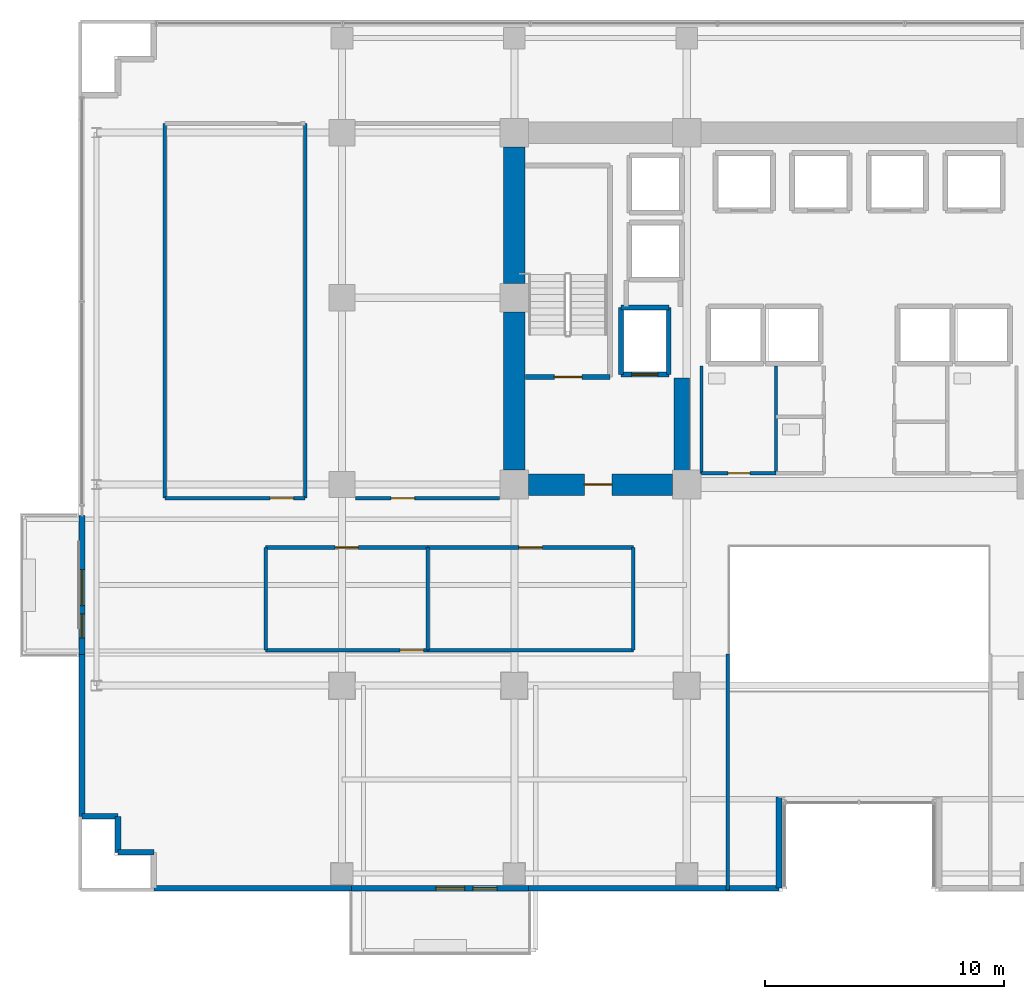
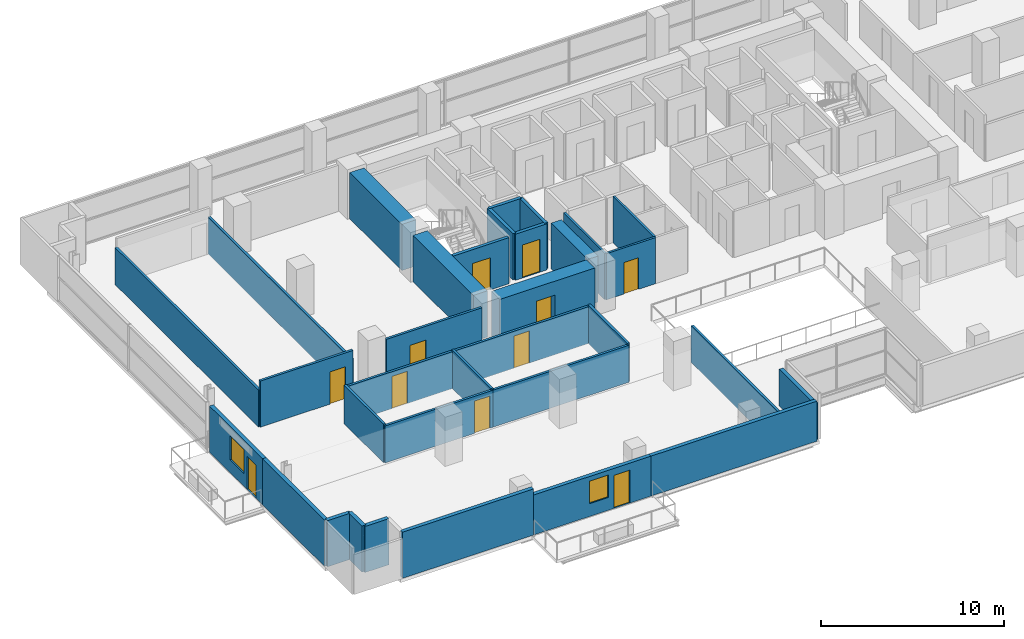
# One storey, part 23 of 31: 33 walls, 11 doors, 2 windows, 13 openings.
"""IFC4 building model written with IfcOpenShell, lengths in metres."""

from ifc_helpers import new_model, si_unit, direction, frame, frame_2d, origin, place, context, subcontext, project, spatial, rectangle, extrude, source, transform, mapped, material, layer, layer_set, type_object, element, fill, save


model = new_model("IFC4")

# Units and contexts
model_context = context("Model", 3, precision=1e-05, world=origin(), true_north=direction((0.0, 1.0)))
body_context = subcontext(model_context, "Body", "Model", "MODEL_VIEW")
ifc_project = project(units=[si_unit("LENGTHUNIT", "METRE"), si_unit("AREAUNIT", "SQUARE_METRE"), si_unit("VOLUMEUNIT", "CUBIC_METRE"), si_unit("PLANEANGLEUNIT", "RADIAN"), si_unit("MASSUNIT", "GRAM", prefix="KILO")], contexts=[model_context])

# Site, building, storey
site_placement = place(None, origin())
site = spatial("IfcSite", under=ifc_project, at=site_placement, CompositionType="ELEMENT")
building_placement = place(site_placement, origin())
building = spatial("IfcBuilding", under=site, at=building_placement, Name="Zarnakvel Exchange Tower", CompositionType="ELEMENT")
storey_placement = place(building_placement, frame((0.0, 0.0, 47.199951171875)))
storey = spatial("IfcBuildingStorey", under=building, at=storey_placement, Name="L12", CompositionType="ELEMENT", Elevation=47.199951171875)

# Walls
ifc_material_1 = material(Name="Concrete C80/95", Category="concrete")
ifc_layer_1 = layer(ifc_material_1, 0.89990234375)
ifc_layer_set_1 = layer_set([ifc_layer_1], Name="Concrete C80/95")
wall_type_1 = type_object("IfcWallType", Name="CW-C1", PredefinedType="SHEAR", material=ifc_layer_set_1)
wall_1_placement = place(storey_placement, frame((-14.39990234375, -0.60009765625, 0.0), z_axis=(0.0, 0.0, 1.0), x_axis=(0.0, 1.0, 0.0)))
element("IfcWall", 1, at=wall_1_placement, inside=storey, type_object=wall_type_1, Name="L12 Rear Core Shear Wall W1 (CW-C1)", PredefinedType="SHEAR", context=body_context, shape_type="SweptSolid", body=[
    extrude(rectangle(XDim=6.60009765625, YDim=0.89990234375, at=frame_2d((3.300048828125, 0.0))), origin(), (0.0, 0.0, 1.0), 3.074951171875),
])
wall_2_placement = place(storey_placement, frame((-14.39990234375, 7.199951171875, 0.0), z_axis=(0.0, 0.0, 1.0), x_axis=(0.0, 1.0, 0.0)))
element("IfcWall", 2, at=wall_2_placement, inside=storey, type_object=wall_type_1, Name="L12 Rear Core Shear Wall W2 (CW-C1)", PredefinedType="SHEAR", context=body_context, shape_type="SweptSolid", body=[
    extrude(rectangle(XDim=5.699951171875, YDim=0.89990234375, at=frame_2d((2.85009765625, 0.0))), origin(), (0.0, 0.0, 1.0), 3.074951171875),
])

# Wall, opening, door
wall_3_placement = place(storey_placement, frame((-7.800048828125, -1.199951171875, 0.0), z_axis=(0.0, 0.0, 1.0), x_axis=(-1.0, 0.0, 0.0)))
wall_3 = element("IfcWall", 3, at=wall_3_placement, inside=storey, type_object=wall_type_1, Name="L12 Rear Core Shear Wall SW (CW-C1)", PredefinedType="SHEAR", context=body_context, shape_type="SweptSolid", body=[
    extrude(rectangle(XDim=6.0, YDim=0.89990234375, at=frame_2d((3.0, 0.0))), origin(), (0.0, 0.0, 1.0), 3.074951171875),
])
opening_1_placement = place(wall_3_placement, frame((2.52490234375, 0.0, 0.0)))
opening_1 = element("IfcOpeningElement", 4, at=opening_1_placement, cuts=wall_3, Name="Opening D-L12-03", PredefinedType="OPENING", context=body_context, shape_type="SweptSolid", body=[
    extrude(rectangle(XDim=1.14990234375, YDim=2.14990234375, at=frame_2d((0.574951171875, 1.074951171875))), frame((0.0, 0.4599609375, 0.0), z_axis=(0.0, -1.0, 0.0), x_axis=(1.0, 0.0, 0.0)), (0.0, 0.0, 1.0), 0.919921875),
])
ifc_material_2 = material(Name="Painted Galvanised Steel S355", Category="steel")
door_type_1 = type_object("IfcDoorType", Name="DT-04", OperationType="NOTDEFINED", PredefinedType="DOOR", material=ifc_material_2)
shared_shape_1 = source(origin(), body_context, "Body", "SweptSolid", [
    extrude(rectangle(XDim=1.14990234375, YDim=2.14990234375, at=frame_2d((0.574951171875, 1.074951171875))), frame((0.0, 0.02490234375, 0.0), z_axis=(0.0, -1.0, 0.0), x_axis=(1.0, 0.0, 0.0)), (0.0, 0.0, 1.0), 0.050048828125),
])
door_1_placement = place(opening_1_placement, origin())
door_1 = element("IfcDoor", 5, at=door_1_placement, inside=storey, type_object=door_type_1, Name="L12 Firefighting Lobby West Door D-L12-03", OperationType="SINGLE_SWING_LEFT", OverallHeight=2.14990234375, OverallWidth=1.14990234375, PredefinedType="DOOR", context=body_context, shape_type="MappedRepresentation", body=[
    mapped(shared_shape_1, transform((0.0, 0.0, 0.0), x_axis=(1.0, 0.0, 0.0), y_axis=(0.0, 1.0, 0.0), z_axis=(0.0, 0.0, 1.0), scale=1.0)),
])
fill(opening_1, door_1)

# Wall
ifc_layer_2 = layer(ifc_material_1, 0.64990234375)
ifc_layer_set_2 = layer_set([ifc_layer_2], Name="Concrete C80/95")
wall_type_2 = type_object("IfcWallType", Name="CW-C2", PredefinedType="SHEAR", material=ifc_layer_set_2)
wall_4_placement = place(storey_placement, frame((-7.39990234375, -0.75, 0.0), z_axis=(0.0, 0.0, 1.0), x_axis=(0.0, 1.0, 0.0)))
element("IfcWall", 6, at=wall_4_placement, inside=storey, type_object=wall_type_2, Name="L12 Rear Core Shear Wall IW (CW-C2)", PredefinedType="SHEAR", context=body_context, shape_type="SweptSolid", body=[
    extrude(rectangle(XDim=4.0, YDim=0.64990234375, at=frame_2d((2.0, 0.0))), origin(), (0.0, 0.0, 1.0), 3.074951171875),
])

# Wall, openings, door, window
ifc_material_3 = material(Name="Precast concrete C40/50", Category="concrete")
ifc_layer_3 = layer(ifc_material_3, 0.239990234375)
ifc_layer_set_3 = layer_set([ifc_layer_3], Name="Precast concrete C40/50")
wall_type_3 = type_object("IfcWallType", Name="EW-02", PredefinedType="SOLIDWALL", material=ifc_layer_set_3)
wall_5_placement = place(storey_placement, frame((-13.800048828125, -18.06005859375, 0.0), z_axis=(0.0, 0.0, 1.0), x_axis=(-1.0, 0.0, 0.0)))
wall_5 = element("IfcWall", 7, at=wall_5_placement, inside=storey, type_object=wall_type_3, Name="L12 Exterior Precast Spandrel Wall EW-BAL-L12-SW (EW-02)", PredefinedType="SOLIDWALL", context=body_context, shape_type="SweptSolid", body=[
    extrude(rectangle(XDim=7.39990234375, YDim=0.239990234375, at=frame_2d((3.699951171875, 0.0))), origin(), (0.0, 0.0, 1.0), 2.6650390625),
])
opening_2_placement = place(wall_5_placement, frame((1.33203125, 0.0, 0.0)))
opening_2 = element("IfcOpeningElement", 8, at=opening_2_placement, cuts=wall_5, Name="Opening BD-L12-01", PredefinedType="OPENING", context=body_context, shape_type="SweptSolid", body=[
    extrude(rectangle(XDim=1.0, YDim=2.199951171875, at=frame_2d((0.5, 1.10009765625))), frame((0.0, 0.1298828125, 0.0), z_axis=(0.0, -1.0, 0.0), x_axis=(1.0, 0.0, 0.0)), (0.0, 0.0, 1.0), 0.260009765625),
])
opening_3_placement = place(wall_5_placement, frame((2.681884765625, 0.0, 0.85009765625)))
opening_3 = element("IfcOpeningElement", 9, at=opening_3_placement, cuts=wall_5, Name="Opening WN-04", PredefinedType="OPENING", context=body_context, shape_type="SweptSolid", body=[
    extrude(rectangle(XDim=1.199951171875, YDim=1.5, at=frame_2d((0.60009765625, 0.75))), frame((0.0, 0.1298828125, 0.0), z_axis=(0.0, -1.0, 0.0), x_axis=(1.0, 0.0, 0.0)), (0.0, 0.0, 1.0), 0.260009765625),
])
ifc_material_4 = material(Name="Architectural Bronze Anodised Aluminium", Category="aluminium")
door_type_2 = type_object("IfcDoorType", Name="DT-09", OperationType="NOTDEFINED", PredefinedType="DOOR", material=ifc_material_4)
shared_shape_2 = source(origin(), body_context, "Body", "SweptSolid", [
    extrude(rectangle(XDim=1.0, YDim=2.199951171875, at=frame_2d((0.5, 1.10009765625))), frame((0.0, 0.02490234375, 0.0), z_axis=(0.0, -1.0, 0.0), x_axis=(1.0, 0.0, 0.0)), (0.0, 0.0, 1.0), 0.050048828125),
])
door_2_placement = place(opening_2_placement, origin())
door_2 = element("IfcDoor", 10, at=door_2_placement, inside=storey, type_object=door_type_2, Name="L12 Planted Loggia Balcony Door BD-L12-01", OperationType="SINGLE_SWING_RIGHT", OverallHeight=2.199951171875, OverallWidth=1.0, PredefinedType="DOOR", context=body_context, shape_type="MappedRepresentation", body=[
    mapped(shared_shape_2, transform((0.0, 0.0, 0.0), x_axis=(1.0, 0.0, 0.0), y_axis=(0.0, 1.0, 0.0), z_axis=(0.0, 0.0, 1.0), scale=1.0)),
])
fill(opening_2, door_2)
ifc_material_5 = material(Name="Double Low-E Laminated Vision Glass", Category="glass")
window_type_1 = type_object("IfcWindowType", Name="WN-04", PartitioningType="SINGLE_PANEL", PredefinedType="WINDOW", material=ifc_material_5)
shared_shape_3 = source(origin(), body_context, "Body", "SweptSolid", [
    extrude(rectangle(XDim=1.199951171875, YDim=1.5, at=frame_2d((0.60009765625, 0.75))), frame((0.0, 0.030029296875, 0.0), z_axis=(0.0, -1.0, 0.0), x_axis=(1.0, 0.0, 0.0)), (0.0, 0.0, 1.0), 0.06005859375),
])
window_1_placement = place(opening_3_placement, origin())
window_1 = element("IfcWindow", 11, at=window_1_placement, inside=storey, type_object=window_type_1, Name="L12 Loggia Daylight Window (WN-04)", OverallHeight=1.5, OverallWidth=1.199951171875, PartitioningType="SINGLE_PANEL", PredefinedType="WINDOW", context=body_context, shape_type="MappedRepresentation", body=[
    mapped(shared_shape_3, transform((0.0, 0.0, 0.0), x_axis=(1.0, 0.0, 0.0), y_axis=(0.0, 1.0, 0.0), z_axis=(0.0, 0.0, 1.0), scale=1.0)),
])
fill(opening_3, window_1)

wall_6_placement = place(storey_placement, frame((-32.4599609375, -8.300048828125, 0.0), z_axis=(0.0, 0.0, 1.0), x_axis=(0.0, 1.0, 0.0)))
wall_6 = element("IfcWall", 12, at=wall_6_placement, inside=storey, type_object=wall_type_3, Name="L12 Exterior Precast Spandrel Wall EW-BAL-L12-W (EW-02)", PredefinedType="SOLIDWALL", context=body_context, shape_type="SweptSolid", body=[
    extrude(rectangle(XDim=5.800048828125, YDim=0.239990234375, at=frame_2d((2.89990234375, 0.0))), origin(), (0.0, 0.0, 1.0), 3.074951171875),
])
opening_4_placement = place(wall_6_placement, frame((0.696044921875, 0.0, 0.0)))
opening_4 = element("IfcOpeningElement", 13, at=opening_4_placement, cuts=wall_6, Name="Opening BD-L12-03", PredefinedType="OPENING", context=body_context, shape_type="SweptSolid", body=[
    extrude(rectangle(XDim=1.0, YDim=2.199951171875, at=frame_2d((0.5, 1.10009765625))), frame((0.0, 0.1298828125, 0.0), z_axis=(0.0, -1.0, 0.0), x_axis=(1.0, 0.0, 0.0)), (0.0, 0.0, 1.0), 0.260009765625),
])
opening_5_placement = place(wall_6_placement, frame((2.0458984375, 0.0, 0.85009765625)))
opening_5 = element("IfcOpeningElement", 14, at=opening_5_placement, cuts=wall_6, Name="Opening WN-03", PredefinedType="OPENING", context=body_context, shape_type="SweptSolid", body=[
    extrude(rectangle(XDim=1.5, YDim=1.60009765625, at=frame_2d((0.75, 0.800048828125))), frame((0.0, 0.1298828125, 0.0), z_axis=(0.0, -1.0, 0.0), x_axis=(1.0, 0.0, 0.0)), (0.0, 0.0, 1.0), 0.260009765625),
])
door_3_placement = place(opening_4_placement, origin())
door_3 = element("IfcDoor", 15, at=door_3_placement, inside=storey, type_object=door_type_2, Name="L12 Planted Loggia Balcony Door BD-L12-03", OperationType="SINGLE_SWING_RIGHT", OverallHeight=2.199951171875, OverallWidth=1.0, PredefinedType="DOOR", context=body_context, shape_type="MappedRepresentation", body=[
    mapped(shared_shape_2, transform((0.0, 0.0, 0.0), x_axis=(1.0, 0.0, 0.0), y_axis=(0.0, 1.0, 0.0), z_axis=(0.0, 0.0, 1.0), scale=1.0)),
])
fill(opening_4, door_3)
window_type_2 = type_object("IfcWindowType", Name="WN-03", PartitioningType="SINGLE_PANEL", PredefinedType="WINDOW", material=ifc_material_5)
shared_shape_4 = source(origin(), body_context, "Body", "SweptSolid", [
    extrude(rectangle(XDim=1.5, YDim=1.60009765625, at=frame_2d((0.75, 0.800048828125))), frame((0.0, 0.030029296875, 0.0), z_axis=(0.0, -1.0, 0.0), x_axis=(1.0, 0.0, 0.0)), (0.0, 0.0, 1.0), 0.06005859375),
])
window_2_placement = place(opening_5_placement, origin())
window_2 = element("IfcWindow", 16, at=window_2_placement, inside=storey, type_object=window_type_2, Name="L12 Loggia Daylight Window (WN-03)", OverallHeight=1.60009765625, OverallWidth=1.5, PartitioningType="SINGLE_PANEL", PredefinedType="WINDOW", context=body_context, shape_type="MappedRepresentation", body=[
    mapped(shared_shape_4, transform((0.0, 0.0, 0.0), x_axis=(1.0, 0.0, 0.0), y_axis=(0.0, 1.0, 0.0), z_axis=(0.0, 0.0, 1.0), scale=1.0)),
])
fill(opening_5, window_2)

# Walls
wall_7_placement = place(storey_placement, frame((-32.4599609375, -8.300048828125, 0.0), z_axis=(0.0, 0.0, 1.0), x_axis=(0.0, -1.0, 0.0)))
element("IfcWall", 17, at=wall_7_placement, inside=storey, type_object=wall_type_3, Name="L12 Exterior Precast Spandrel Wall EWC-L12-01 (EW-02)", PredefinedType="SOLIDWALL", context=body_context, shape_type="SweptSolid", body=[
    extrude(rectangle(XDim=6.760009765625, YDim=0.239990234375, at=frame_2d((3.3798828125, 0.0))), origin(), (0.0, 0.0, 1.0), 3.074951171875),
])
wall_8_placement = place(storey_placement, frame((-3.340087890625, -18.06005859375, 0.0), z_axis=(0.0, 0.0, 1.0), x_axis=(0.0, 1.0, 0.0)))
element("IfcWall", 18, at=wall_8_placement, inside=storey, type_object=wall_type_3, Name="L12 Exterior Precast Spandrel Wall EWC-L12-20 (EW-02)", PredefinedType="SOLIDWALL", context=body_context, shape_type="SweptSolid", body=[
    extrude(rectangle(XDim=3.800048828125, YDim=0.239990234375, at=frame_2d((1.89990234375, 0.0))), origin(), (0.0, 0.0, 1.0), 2.465087890625),
])
wall_9_placement = place(storey_placement, frame((-13.800048828125, -18.06005859375, 0.0), z_axis=(0.0, 0.0, 1.0), x_axis=(1.0, 0.0, 0.0)))
element("IfcWall", 19, at=wall_9_placement, inside=storey, type_object=wall_type_3, Name="L12 Exterior Precast Spandrel Wall EWC-L12-21 (EW-02)", PredefinedType="SOLIDWALL", context=body_context, shape_type="SweptSolid", body=[
    extrude(rectangle(XDim=10.4599609375, YDim=0.239990234375, at=frame_2d((5.22998046875, 0.0))), origin(), (0.0, 0.0, 1.0), 2.6650390625),
])
wall_10_placement = place(storey_placement, frame((-29.4599609375, -18.06005859375, 0.0), z_axis=(0.0, 0.0, 1.0), x_axis=(1.0, 0.0, 0.0)))
element("IfcWall", 20, at=wall_10_placement, inside=storey, type_object=wall_type_3, Name="L12 Exterior Precast Spandrel Wall EWC-L12-22 (EW-02)", PredefinedType="SOLIDWALL", context=body_context, shape_type="SweptSolid", body=[
    extrude(rectangle(XDim=8.260009765625, YDim=0.239990234375, at=frame_2d((4.1298828125, 0.0))), origin(), (0.0, 0.0, 1.0), 3.074951171875),
])
for number, where, z_axis, x_axis, name in (
    (21, (-30.9599609375, -16.56005859375, 0.0), (0.0, 0.0, 1.0), (1.0, 0.0, 0.0), "L12 Exterior Precast Spandrel Wall EWC-L12-24 (EW-02)"),
    (22, (-30.9599609375, -15.06005859375, 0.0), (0.0, 0.0, 1.0), (0.0, -1.0, 0.0), "L12 Exterior Precast Spandrel Wall EWC-L12-25 (EW-02)"),
    (23, (-32.4599609375, -15.06005859375, 0.0), (0.0, 0.0, 1.0), (1.0, 0.0, 0.0), "L12 Exterior Precast Spandrel Wall EWC-L12-26 (EW-02)"),
):
    element("IfcWall", number, at=place(storey_placement, frame(where, z_axis=z_axis, x_axis=x_axis)), inside=storey, type_object=wall_type_3, Name=name, PredefinedType="SOLIDWALL", context=body_context, shape_type="SweptSolid", body=[
        extrude(rectangle(XDim=1.5, YDim=0.239990234375, at=frame_2d((0.75, 0.0))), origin(), (0.0, 0.0, 1.0), 3.074951171875),
    ])

# Wall, opening, door
ifc_material_6 = material(Name="Fire-Rated Gypsum Stud Partition", Category="gypsum")
ifc_layer_4 = layer(ifc_material_6, 0.14990234375)
ifc_layer_set_4 = layer_set([ifc_layer_4], Name="Fire-Rated Gypsum Stud Partition")
wall_type_4 = type_object("IfcWallType", Name="PT-01", PredefinedType="PARTITIONING", material=ifc_layer_set_4)
wall_11_placement = place(storey_placement, frame((-18.012451171875, -8.1201171875, 0.0), z_axis=(0.0, 0.0, 1.0), x_axis=(-1.0, 0.0, 0.0)))
wall_11 = element("IfcWall", 24, at=wall_11_placement, inside=storey, type_object=wall_type_4, Name="L12 Partition Wall PWALL-L12-026 (PT-01)", PredefinedType="PARTITIONING", context=body_context, shape_type="SweptSolid", body=[
    extrude(rectangle(XDim=6.77783203125, YDim=0.14990234375, at=frame_2d((3.388916015625, 0.0))), origin(), (0.0, 0.0, 1.0), 2.465087890625),
])
opening_6_placement = place(wall_11_placement, frame((0.179931640625, 0.0, 0.0)))
opening_6 = element("IfcOpeningElement", 25, at=opening_6_placement, cuts=wall_11, Name="Opening D-L12-13", PredefinedType="OPENING", context=body_context, shape_type="SweptSolid", body=[
    extrude(rectangle(XDim=0.97998046875, YDim=2.14990234375, at=frame_2d((0.489990234375, 1.074951171875))), frame((0.0, 0.0849609375, 0.0), z_axis=(0.0, -1.0, 0.0), x_axis=(1.0, 0.0, 0.0)), (0.0, 0.0, 1.0), 0.169921875),
])
ifc_material_7 = material(Name="Timber Acoustic Veneer", Category="wood")
door_type_3 = type_object("IfcDoorType", Name="DT-05", OperationType="NOTDEFINED", PredefinedType="DOOR", material=ifc_material_7)
shared_shape_5 = source(origin(), body_context, "Body", "SweptSolid", [
    extrude(rectangle(XDim=0.97998046875, YDim=2.14990234375, at=frame_2d((0.489990234375, 1.074951171875))), frame((0.0, 0.02490234375, 0.0), z_axis=(0.0, -1.0, 0.0), x_axis=(1.0, 0.0, 0.0)), (0.0, 0.0, 1.0), 0.050048828125),
])
door_4_placement = place(opening_6_placement, origin())
door_4 = element("IfcDoor", 26, at=door_4_placement, inside=storey, type_object=door_type_3, Name="L12 Derivatives Trading Hall Door D-L12-13", OperationType="SINGLE_SWING_LEFT", OverallHeight=2.14990234375, OverallWidth=0.97998046875, PredefinedType="DOOR", context=body_context, shape_type="MappedRepresentation", body=[
    mapped(shared_shape_5, transform((0.0, 0.0, 0.0), x_axis=(1.0, 0.0, 0.0), y_axis=(0.0, 1.0, 0.0), z_axis=(0.0, 0.0, 1.0), scale=1.0)),
])
fill(opening_6, door_4)

wall_12_placement = place(storey_placement, frame((-24.790283203125, -3.830078125, 0.0), z_axis=(0.0, 0.0, 1.0), x_axis=(1.0, 0.0, 0.0)))
wall_12 = element("IfcWall", 27, at=wall_12_placement, inside=storey, type_object=wall_type_4, Name="L12 Partition Wall PWALL-L12-027 (PT-01)", PredefinedType="PARTITIONING", context=body_context, shape_type="SweptSolid", body=[
    extrude(rectangle(XDim=6.77783203125, YDim=0.14990234375, at=frame_2d((3.388916015625, 0.0))), origin(), (0.0, 0.0, 1.0), 2.465087890625),
])
opening_7_placement = place(wall_12_placement, frame((2.899169921875, 0.0, 0.0)))
opening_7 = element("IfcOpeningElement", 28, at=opening_7_placement, cuts=wall_12, Name="Opening D-L12-11", PredefinedType="OPENING", context=body_context, shape_type="SweptSolid", body=[
    extrude(rectangle(XDim=0.97998046875, YDim=2.14990234375, at=frame_2d((0.489990234375, 1.074951171875))), frame((0.0, 0.0849609375, 0.0), z_axis=(0.0, -1.0, 0.0), x_axis=(1.0, 0.0, 0.0)), (0.0, 0.0, 1.0), 0.169921875),
])
door_5_placement = place(opening_7_placement, origin())
door_5 = element("IfcDoor", 29, at=door_5_placement, inside=storey, type_object=door_type_3, Name="L12 Conference Room Door D-L12-11", OperationType="SINGLE_SWING_LEFT", OverallHeight=2.14990234375, OverallWidth=0.97998046875, PredefinedType="DOOR", context=body_context, shape_type="MappedRepresentation", body=[
    mapped(shared_shape_5, transform((0.0, 0.0, 0.0), x_axis=(1.0, 0.0, 0.0), y_axis=(0.0, 1.0, 0.0), z_axis=(0.0, 0.0, 1.0), scale=1.0)),
])
fill(opening_7, door_5)

# Walls
for number, where, z_axis, x_axis, name in (
    (30, (-24.790283203125, -8.1201171875, 0.0), (0.0, 0.0, 1.0), (0.0, 1.0, 0.0), "L12 Partition Wall PWALL-L12-028 (PT-01)"),
    (31, (-18.012451171875, -3.830078125, 0.0), (0.0, 0.0, 1.0), (0.0, -1.0, 0.0), "L12 Partition Wall PWALL-L12-029 (PT-01)"),
):
    element("IfcWall", number, at=place(storey_placement, frame(where, z_axis=z_axis, x_axis=x_axis)), inside=storey, type_object=wall_type_4, Name=name, PredefinedType="PARTITIONING", context=body_context, shape_type="SweptSolid", body=[
        extrude(rectangle(XDim=4.2900390625, YDim=0.14990234375, at=frame_2d((2.14501953125, 0.0))), origin(), (0.0, 0.0, 1.0), 2.56494140625),
    ])
wall_13_placement = place(storey_placement, frame((-9.429931640625, -8.1201171875, 0.0), z_axis=(0.0, 0.0, 1.0), x_axis=(-1.0, 0.0, 0.0)))
element("IfcWall", 32, at=wall_13_placement, inside=storey, type_object=wall_type_4, Name="L12 Partition Wall PWALL-L12-030 (PT-01)", PredefinedType="PARTITIONING", context=body_context, shape_type="SweptSolid", body=[
    extrude(rectangle(XDim=8.58251953125, YDim=0.14990234375, at=frame_2d((4.291259765625, 0.0))), origin(), (0.0, 0.0, 1.0), 2.465087890625),
])

# Wall, opening, door
wall_14_placement = place(storey_placement, frame((-18.012451171875, -3.830078125, 0.0), z_axis=(0.0, 0.0, 1.0), x_axis=(1.0, 0.0, 0.0)))
wall_14 = element("IfcWall", 33, at=wall_14_placement, inside=storey, type_object=wall_type_4, Name="L12 Partition Wall PWALL-L12-031 (PT-01)", PredefinedType="PARTITIONING", context=body_context, shape_type="SweptSolid", body=[
    extrude(rectangle(XDim=8.58251953125, YDim=0.14990234375, at=frame_2d((4.291259765625, 0.0))), origin(), (0.0, 0.0, 1.0), 2.465087890625),
])
opening_8_placement = place(wall_14_placement, frame((3.801513671875, 0.0, 0.0)))
opening_8 = element("IfcOpeningElement", 34, at=opening_8_placement, cuts=wall_14, Name="Opening D-L12-12", PredefinedType="OPENING", context=body_context, shape_type="SweptSolid", body=[
    extrude(rectangle(XDim=0.97998046875, YDim=2.14990234375, at=frame_2d((0.489990234375, 1.074951171875))), frame((0.0, 0.0849609375, 0.0), z_axis=(0.0, -1.0, 0.0), x_axis=(1.0, 0.0, 0.0)), (0.0, 0.0, 1.0), 0.169921875),
])
door_6_placement = place(opening_8_placement, origin())
door_6 = element("IfcDoor", 35, at=door_6_placement, inside=storey, type_object=door_type_3, Name="L12 Executive Suite Door D-L12-12", OperationType="SINGLE_SWING_RIGHT", OverallHeight=2.14990234375, OverallWidth=0.97998046875, PredefinedType="DOOR", context=body_context, shape_type="MappedRepresentation", body=[
    mapped(shared_shape_5, transform((0.0, 0.0, 0.0), x_axis=(1.0, 0.0, 0.0), y_axis=(0.0, 1.0, 0.0), z_axis=(0.0, 0.0, 1.0), scale=1.0)),
])
fill(opening_8, door_6)

# Walls
wall_15_placement = place(storey_placement, frame((-9.429931640625, -3.830078125, 0.0), z_axis=(0.0, 0.0, 1.0), x_axis=(0.0, -1.0, 0.0)))
element("IfcWall", 36, at=wall_15_placement, inside=storey, type_object=wall_type_4, Name="L12 Partition Wall PWALL-L12-032 (PT-01)", PredefinedType="PARTITIONING", context=body_context, shape_type="SweptSolid", body=[
    extrude(rectangle(XDim=4.2900390625, YDim=0.14990234375, at=frame_2d((2.14501953125, 0.0))), origin(), (0.0, 0.0, 1.0), 2.56494140625),
])
wall_16_placement = place(storey_placement, frame((-5.47998046875, -8.280029296875, 0.0), z_axis=(0.0, 0.0, 1.0), x_axis=(0.0, -1.0, 0.0)))
element("IfcWall", 37, at=wall_16_placement, inside=storey, type_object=wall_type_4, Name="L12 Partition Wall PWALL-L12-035 (PT-01)", PredefinedType="PARTITIONING", context=body_context, shape_type="SweptSolid", body=[
    extrude(rectangle(XDim=9.849853515625, YDim=0.14990234375, at=frame_2d((4.9248046875, 0.0))), origin(), (0.0, 0.0, 1.0), 2.465087890625),
])

# Wall, opening, door
wall_17_placement = place(storey_placement, frame((-23.142822265625, -1.77001953125, 0.0), z_axis=(0.0, 0.0, 1.0), x_axis=(-1.0, 0.0, 0.0)))
wall_17 = element("IfcWall", 38, at=wall_17_placement, inside=storey, type_object=wall_type_4, Name="L12 Partition Wall PWALL-L12-049 (PT-01)", PredefinedType="PARTITIONING", context=body_context, shape_type="SweptSolid", body=[
    extrude(rectangle(XDim=5.853271484375, YDim=0.14990234375, at=frame_2d((2.9267578125, 0.0))), origin(), (0.0, 0.0, 1.0), 3.074951171875),
])
opening_9_placement = place(wall_17_placement, frame((0.47802734375, 0.0, 0.0)))
opening_9 = element("IfcOpeningElement", 39, at=opening_9_placement, cuts=wall_17, Name="Opening D-L12-18", PredefinedType="OPENING", context=body_context, shape_type="SweptSolid", body=[
    extrude(rectangle(XDim=0.97998046875, YDim=2.14990234375, at=frame_2d((0.489990234375, 1.074951171875))), frame((0.0, 0.0849609375, 0.0), z_axis=(0.0, -1.0, 0.0), x_axis=(1.0, 0.0, 0.0)), (0.0, 0.0, 1.0), 0.169921875),
])
door_7_placement = place(opening_9_placement, origin())
door_7 = element("IfcDoor", 40, at=door_7_placement, inside=storey, type_object=door_type_3, Name="L12 Staff Pantry Door D-L12-18", OperationType="SINGLE_SWING_RIGHT", OverallHeight=2.14990234375, OverallWidth=0.97998046875, PredefinedType="DOOR", context=body_context, shape_type="MappedRepresentation", body=[
    mapped(shared_shape_5, transform((0.0, 0.0, 0.0), x_axis=(1.0, 0.0, 0.0), y_axis=(0.0, 1.0, 0.0), z_axis=(0.0, 0.0, 1.0), scale=1.0)),
])
fill(opening_9, door_7)

# Walls
for number, where, z_axis, x_axis, name in (
    (41, (-28.99609375, -1.77001953125, 0.0), (0.0, 0.0, 1.0), (0.0, 1.0, 0.0), "L12 Partition Wall PWALL-L12-051 (PT-01)"),
    (42, (-23.142822265625, 13.8798828125, 0.0), (0.0, 0.0, 1.0), (0.0, -1.0, 0.0), "L12 Partition Wall PWALL-L12-052 (PT-01)"),
):
    element("IfcWall", number, at=place(storey_placement, frame(where, z_axis=z_axis, x_axis=x_axis)), inside=storey, type_object=wall_type_4, Name=name, PredefinedType="PARTITIONING", context=body_context, shape_type="SweptSolid", body=[
        extrude(rectangle(XDim=15.64990234375, YDim=0.14990234375, at=frame_2d((7.824951171875, 0.0))), origin(), (0.0, 0.0, 1.0), 2.465087890625),
    ])

# Wall, opening, door
wall_18_placement = place(storey_placement, frame((-15.02001953125, -1.77001953125, 0.0), z_axis=(0.0, 0.0, 1.0), x_axis=(-1.0, 0.0, 0.0)))
wall_18 = element("IfcWall", 43, at=wall_18_placement, inside=storey, type_object=wall_type_4, Name="L12 Partition Wall PWALL-L12-053 (PT-01)", PredefinedType="PARTITIONING", context=body_context, shape_type="SweptSolid", body=[
    extrude(rectangle(XDim=6.010009765625, YDim=0.14990234375, at=frame_2d((3.0048828125, 0.0))), origin(), (0.0, 0.0, 1.0), 3.074951171875),
])
opening_10_placement = place(wall_18_placement, frame((3.5458984375, 0.0, 0.0)))
opening_10 = element("IfcOpeningElement", 44, at=opening_10_placement, cuts=wall_18, Name="Opening D-L12-19", PredefinedType="OPENING", context=body_context, shape_type="SweptSolid", body=[
    extrude(rectangle(XDim=0.97998046875, YDim=2.14990234375, at=frame_2d((0.489990234375, 1.074951171875))), frame((0.0, 0.0849609375, 0.0), z_axis=(0.0, -1.0, 0.0), x_axis=(1.0, 0.0, 0.0)), (0.0, 0.0, 1.0), 0.169921875),
])
door_8_placement = place(opening_10_placement, origin())
door_8 = element("IfcDoor", 45, at=door_8_placement, inside=storey, type_object=door_type_3, Name="L12 Compliance Office Door D-L12-19", OperationType="SINGLE_SWING_LEFT", OverallHeight=2.14990234375, OverallWidth=0.97998046875, PredefinedType="DOOR", context=body_context, shape_type="MappedRepresentation", body=[
    mapped(shared_shape_5, transform((0.0, 0.0, 0.0), x_axis=(1.0, 0.0, 0.0), y_axis=(0.0, 1.0, 0.0), z_axis=(0.0, 0.0, 1.0), scale=1.0)),
])
fill(opening_10, door_8)

ifc_material_8 = material(Name="Moisture-Resistant Tile-Faced Partition", Category="gypsum")
ifc_layer_5 = layer(ifc_material_8, 0.135009765625)
ifc_layer_set_5 = layer_set([ifc_layer_5], Name="Moisture-Resistant Tile-Faced Partition")
wall_type_5 = type_object("IfcWallType", Name="PT-03", PredefinedType="PARTITIONING", material=ifc_layer_set_5)
wall_19_placement = place(storey_placement, frame((-3.469970703125, -0.72998046875, 0.0), z_axis=(0.0, 0.0, 1.0), x_axis=(-1.0, 0.0, 0.0)))
wall_19 = element("IfcWall", 46, at=wall_19_placement, inside=storey, type_object=wall_type_5, Name="L12 Partition Wall PWALL-L12-011 (PT-03)", PredefinedType="PARTITIONING", context=body_context, shape_type="SweptSolid", body=[
    extrude(rectangle(XDim=3.110107421875, YDim=0.135009765625, at=frame_2d((1.55517578125, 0.0))), origin(), (0.0, 0.0, 1.0), 3.074951171875),
])
opening_11_placement = place(wall_19_placement, frame((1.090087890625, 0.0, 0.0)))
opening_11 = element("IfcOpeningElement", 47, at=opening_11_placement, cuts=wall_19, Name="Opening D-L12-05", PredefinedType="OPENING", context=body_context, shape_type="SweptSolid", body=[
    extrude(rectangle(XDim=0.919921875, YDim=2.10009765625, at=frame_2d((0.4599609375, 1.050048828125))), frame((0.0, 0.077392578125, 0.0), z_axis=(0.0, -1.0, 0.0), x_axis=(1.0, 0.0, 0.0)), (0.0, 0.0, 1.0), 0.155029296875),
])
ifc_material_9 = material(Name="Moisture-Resistant Laminate Timber", Category="wood")
door_type_4 = type_object("IfcDoorType", Name="DT-07", OperationType="NOTDEFINED", PredefinedType="DOOR", material=ifc_material_9)
shared_shape_6 = source(origin(), body_context, "Body", "SweptSolid", [
    extrude(rectangle(XDim=0.919921875, YDim=2.10009765625, at=frame_2d((0.4599609375, 1.050048828125))), frame((0.0, 0.02490234375, 0.0), z_axis=(0.0, -1.0, 0.0), x_axis=(1.0, 0.0, 0.0)), (0.0, 0.0, 1.0), 0.050048828125),
])
door_9_placement = place(opening_11_placement, origin())
door_9 = element("IfcDoor", 48, at=door_9_placement, inside=storey, type_object=door_type_4, Name="L12 Male Toilet Door D-L12-05", OperationType="SINGLE_SWING_LEFT", OverallHeight=2.10009765625, OverallWidth=0.919921875, PredefinedType="DOOR", context=body_context, shape_type="MappedRepresentation", body=[
    mapped(shared_shape_6, transform((0.0, 0.0, 0.0), x_axis=(1.0, 0.0, 0.0), y_axis=(0.0, 1.0, 0.0), z_axis=(0.0, 0.0, 1.0), scale=1.0)),
])
fill(opening_11, door_9)

# Walls
for number, where, z_axis, x_axis, name in (
    (49, (-6.580078125, -0.72998046875, 0.0), (0.0, 0.0, 1.0), (0.0, 1.0, 0.0), "L12 Partition Wall PWALL-L12-012 (PT-03)"),
    (50, (-3.469970703125, 3.760009765625, 0.0), (0.0, 0.0, 1.0), (0.0, -1.0, 0.0), "L12 Partition Wall PWALL-L12-013 (PT-03)"),
):
    element("IfcWall", number, at=place(storey_placement, frame(where, z_axis=z_axis, x_axis=x_axis)), inside=storey, type_object=wall_type_5, Name=name, PredefinedType="PARTITIONING", context=body_context, shape_type="SweptSolid", body=[
        extrude(rectangle(XDim=4.489990234375, YDim=0.135009765625, at=frame_2d((2.2451171875, 0.0))), origin(), (0.0, 0.0, 1.0), 3.074951171875),
    ])

# Wall, opening, door
ifc_material_10 = material(Name="Concrete C40/50", Category="concrete")
ifc_layer_6 = layer(ifc_material_10, 0.199951171875)
ifc_layer_set_6 = layer_set([ifc_layer_6], Name="Concrete C40/50")
wall_type_6 = type_object("IfcWallType", Name="SW-01", PredefinedType="SOLIDWALL", material=ifc_layer_set_6)
wall_20_placement = place(storey_placement, frame((-7.949951171875, 3.39990234375, 0.0), z_axis=(0.0, 0.0, 1.0), x_axis=(-1.0, 0.0, 0.0)))
wall_20 = element("IfcWall", 51, at=wall_20_placement, inside=storey, type_object=wall_type_6, Name="L12 FL-01 Hoistway Wall South", PredefinedType="SOLIDWALL", context=body_context, shape_type="SweptSolid", body=[
    extrude(rectangle(XDim=2.0, YDim=0.199951171875, at=frame_2d((1.0, 0.0))), origin(), (0.0, 0.0, 1.0), 3.074951171875),
])
opening_12_placement = place(wall_20_placement, frame((0.449951171875, 0.0, 0.0)))
opening_12 = element("IfcOpeningElement", 52, at=opening_12_placement, cuts=wall_20, Name="Opening LD-FL-01-L12", PredefinedType="OPENING", context=body_context, shape_type="SweptSolid", body=[
    extrude(rectangle(XDim=1.10009765625, YDim=2.199951171875, at=frame_2d((0.550048828125, 1.10009765625))), frame((0.0, 0.10986328125, 0.0), z_axis=(0.0, -1.0, 0.0), x_axis=(1.0, 0.0, 0.0)), (0.0, 0.0, 1.0), 0.219970703125),
])
ifc_material_11 = material(Name="Brushed Stainless Steel", Category="steel")
door_type_5 = type_object("IfcDoorType", Name="LDT-01", OperationType="NOTDEFINED", PredefinedType="DOOR", material=ifc_material_11)
shared_shape_7 = source(origin(), body_context, "Body", "SweptSolid", [
    extrude(rectangle(XDim=1.10009765625, YDim=2.199951171875, at=frame_2d((0.550048828125, 1.10009765625))), frame((0.0, 0.02490234375, 0.0), z_axis=(0.0, -1.0, 0.0), x_axis=(1.0, 0.0, 0.0)), (0.0, 0.0, 1.0), 0.050048828125),
])
door_10_placement = place(opening_12_placement, origin())
door_10 = element("IfcDoor", 53, at=door_10_placement, inside=storey, type_object=door_type_5, Name="L12 FL-01 Lift Landing Door LD-FL-01-L12", OperationType="DOUBLE_DOOR_SLIDING", OverallHeight=2.199951171875, OverallWidth=1.10009765625, PredefinedType="DOOR", context=body_context, shape_type="MappedRepresentation", body=[
    mapped(shared_shape_7, transform((0.0, 0.0, 0.0), x_axis=(1.0, 0.0, 0.0), y_axis=(0.0, 1.0, 0.0), z_axis=(0.0, 0.0, 1.0), scale=1.0)),
])
fill(opening_12, door_10)

# Walls
wall_21_placement = place(storey_placement, frame((-9.949951171875, 6.199951171875, 0.0), z_axis=(0.0, 0.0, 1.0), x_axis=(1.0, 0.0, 0.0)))
element("IfcWall", 54, at=wall_21_placement, inside=storey, type_object=wall_type_6, Name="L12 FL-01 Hoistway Wall North", PredefinedType="SOLIDWALL", context=body_context, shape_type="SweptSolid", body=[
    extrude(rectangle(XDim=2.0, YDim=0.199951171875, at=frame_2d((1.0, 0.0))), origin(), (0.0, 0.0, 1.0), 3.074951171875),
])
for number, where, z_axis, x_axis, name in (
    (55, (-9.949951171875, 3.39990234375, 0.0), (0.0, 0.0, 1.0), (0.0, 1.0, 0.0), "L12 FL-01 Hoistway Wall West"),
    (56, (-7.949951171875, 6.199951171875, 0.0), (0.0, 0.0, 1.0), (0.0, -1.0, 0.0), "L12 FL-01 Hoistway Wall East"),
):
    element("IfcWall", number, at=place(storey_placement, frame(where, z_axis=z_axis, x_axis=x_axis)), inside=storey, type_object=wall_type_6, Name=name, PredefinedType="SOLIDWALL", context=body_context, shape_type="SweptSolid", body=[
        extrude(rectangle(XDim=2.800048828125, YDim=0.199951171875, at=frame_2d((1.39990234375, 0.0))), origin(), (0.0, 0.0, 1.0), 3.074951171875),
    ])

# Wall, opening, door
ifc_layer_7 = layer(ifc_material_10, 0.199951171875)
ifc_layer_set_7 = layer_set([ifc_layer_7], Name="Concrete C40/50")
wall_type_7 = type_object("IfcWallType", Name="SW-02", PredefinedType="SOLIDWALL", material=ifc_layer_set_7)
wall_22_placement = place(storey_placement, frame((-10.409912109375, 3.2900390625, 0.0), z_axis=(0.0, 0.0, 1.0), x_axis=(-1.0, 0.0, 0.0)))
wall_22 = element("IfcWall", 57, at=wall_22_placement, inside=storey, type_object=wall_type_7, Name="L12 Stairwell Core Wall PWALL-L12-001 (SW-02)", PredefinedType="SOLIDWALL", context=body_context, shape_type="SweptSolid", body=[
    extrude(rectangle(XDim=3.52001953125, YDim=0.199951171875, at=frame_2d((1.760009765625, 0.0))), origin(), (0.0, 0.0, 1.0), 3.074951171875),
])
opening_13_placement = place(wall_22_placement, frame((1.1650390625, 0.0, 0.0)))
opening_13 = element("IfcOpeningElement", 58, at=opening_13_placement, cuts=wall_22, Name="Opening D-L12-01", PredefinedType="OPENING", context=body_context, shape_type="SweptSolid", body=[
    extrude(rectangle(XDim=1.14990234375, YDim=2.14990234375, at=frame_2d((0.574951171875, 1.074951171875))), frame((0.0, 0.10986328125, 0.0), z_axis=(0.0, -1.0, 0.0), x_axis=(1.0, 0.0, 0.0)), (0.0, 0.0, 1.0), 0.219970703125),
])
door_11_placement = place(opening_13_placement, origin())
door_11 = element("IfcDoor", 59, at=door_11_placement, inside=storey, type_object=door_type_1, Name="L12 Stairwell ST-01 Door D-L12-01", OperationType="SINGLE_SWING_LEFT", OverallHeight=2.14990234375, OverallWidth=1.14990234375, PredefinedType="DOOR", context=body_context, shape_type="MappedRepresentation", body=[
    mapped(shared_shape_1, transform((0.0, 0.0, 0.0), x_axis=(1.0, 0.0, 0.0), y_axis=(0.0, 1.0, 0.0), z_axis=(0.0, 0.0, 1.0), scale=1.0)),
])
fill(opening_13, door_11)

save(model, "model.ifc")
